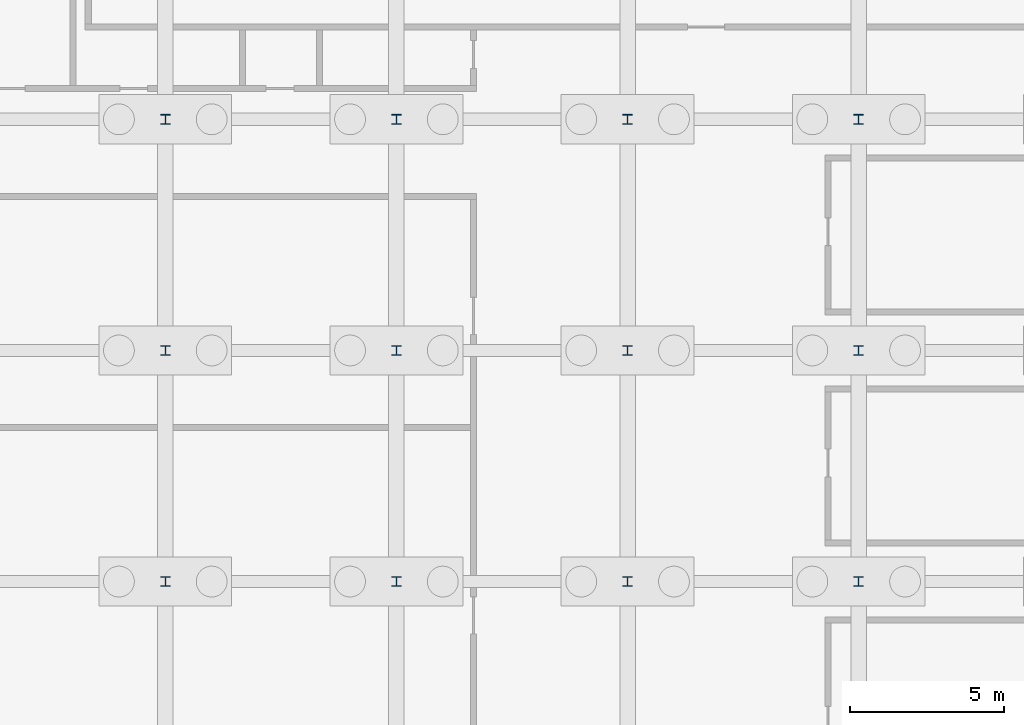
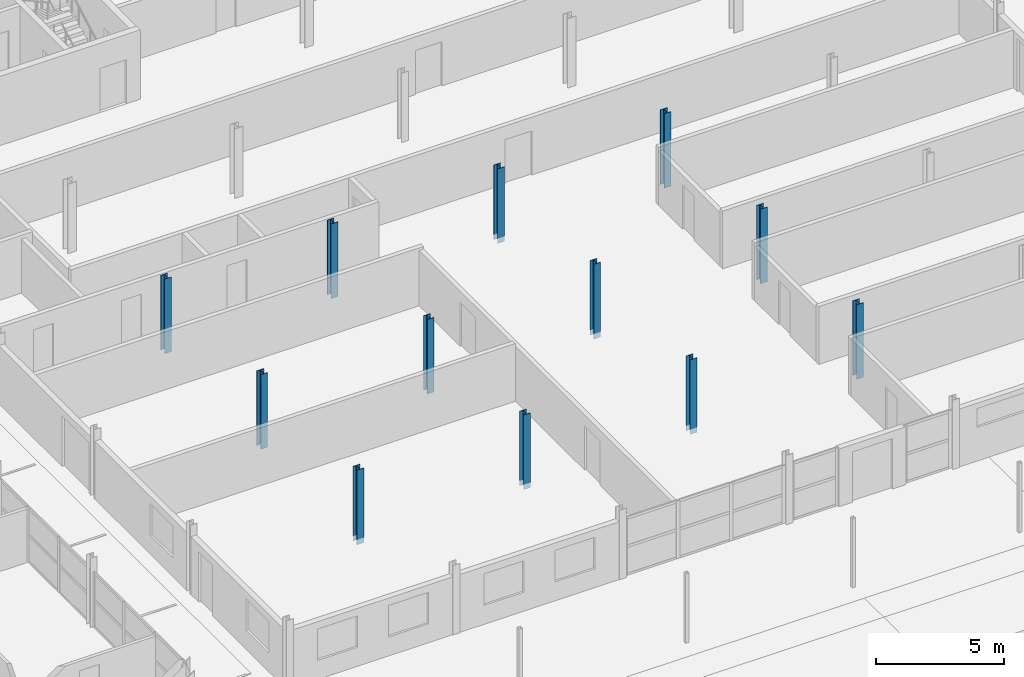
# One storey, part 17 of 130: 12 columns.
"""IFC4 building model written with IfcOpenShell, lengths in metres."""

from ifc_helpers import new_model, si_unit, direction, frame, origin, origin_2d, place, context, subcontext, project, spatial, i_section, extrude, material, material_profile, profile_set, type_object, element, save


model = new_model("IFC4")

# Units and contexts
model_context = context("Model", 3, precision=1e-05, world=origin(), true_north=direction((0.0, 1.0)))
body_context = subcontext(model_context, "Body", "Model", "MODEL_VIEW")
ifc_project = project(units=[si_unit("LENGTHUNIT", "METRE"), si_unit("AREAUNIT", "SQUARE_METRE"), si_unit("VOLUMEUNIT", "CUBIC_METRE"), si_unit("PLANEANGLEUNIT", "RADIAN"), si_unit("MASSUNIT", "GRAM", prefix="KILO")], contexts=[model_context])

# Site, building, storey
site_placement = place(None, origin())
site = spatial("IfcSite", under=ifc_project, at=site_placement, CompositionType="ELEMENT")
building_placement = place(site_placement, origin())
building = spatial("IfcBuilding", under=site, at=building_placement, Name="Parallax Yard Mobility Hub", CompositionType="ELEMENT")
storey_placement = place(building_placement, origin())
storey = spatial("IfcBuildingStorey", under=building, at=storey_placement, Name="L00", CompositionType="ELEMENT", Elevation=0.0)

# Columns
ifc_material = material(Name="Steel ASTM A992", Category="steel")
ifc_material_profile = material_profile(ifc_material, i_section(OverallWidth=0.306884765625, OverallDepth=0.318115234375, WebThickness=0.01318359375, FlangeThickness=0.0205078125, FilletRadius=0.01513671875, at=origin_2d()), Name="W310x129")
ifc_profile_set = profile_set([ifc_material_profile], Name="Steel ASTM A992")
column_type = type_object("IfcColumnType", Name="W310x129 column", PredefinedType="COLUMN", material=ifc_profile_set)
for number, where, z_axis, x_axis, name in (
    (1, (105.0, 15.0, -0.25), (0.0, 0.0, 1.0), (1.0, 0.0, 0.0), "Column C3 level L00 at C/15 of mobility service centre and workshops"),
    (2, (105.0, 22.5, -0.25), (0.0, 0.0, 1.0), (1.0, 0.0, 0.0), "Column C3 level L00 at D/15 of mobility service centre and workshops"),
    (3, (105.0, 30.0, -0.25), (0.0, 0.0, 1.0), (1.0, 0.0, 0.0), "Column C3 level L00 at E/15 of mobility service centre and workshops"),
    (4, (112.5, 15.0, -0.25), (0.0, 0.0, 1.0), (1.0, 0.0, 0.0), "Column C3 level L00 at C/16 of mobility service centre and workshops"),
    (5, (112.5, 22.5, -0.25), (0.0, 0.0, 1.0), (1.0, 0.0, 0.0), "Column C3 level L00 at D/16 of mobility service centre and workshops"),
    (6, (112.5, 30.0, -0.25), (0.0, 0.0, 1.0), (1.0, 0.0, 0.0), "Column C3 level L00 at E/16 of mobility service centre and workshops"),
    (7, (120.0, 15.0, -0.25), (0.0, 0.0, 1.0), (1.0, 0.0, 0.0), "Column C3 level L00 at C/17 of mobility service centre and workshops"),
    (8, (120.0, 22.5, -0.25), (0.0, 0.0, 1.0), (1.0, 0.0, 0.0), "Column C3 level L00 at D/17 of mobility service centre and workshops"),
    (9, (120.0, 30.0, -0.25), (0.0, 0.0, 1.0), (1.0, 0.0, 0.0), "Column C3 level L00 at E/17 of mobility service centre and workshops"),
    (10, (127.5, 15.0, -0.25), (0.0, 0.0, 1.0), (1.0, 0.0, 0.0), "Column C3 level L00 at C/18 of mobility service centre and workshops"),
    (11, (127.5, 22.5, -0.25), (0.0, 0.0, 1.0), (1.0, 0.0, 0.0), "Column C3 level L00 at D/18 of mobility service centre and workshops"),
    (12, (127.5, 30.0, -0.25), (0.0, 0.0, 1.0), (1.0, 0.0, 0.0), "Column C3 level L00 at E/18 of mobility service centre and workshops"),
):
    element("IfcColumn", number, at=place(storey_placement, frame(where, z_axis=z_axis, x_axis=x_axis)), inside=storey, type_object=column_type, Name=name, PredefinedType="COLUMN", context=body_context, shape_type="SweptSolid", body=[
        extrude(i_section(OverallWidth=0.306884765625, OverallDepth=0.318115234375, WebThickness=0.01318359375, FlangeThickness=0.0205078125, FilletRadius=0.01513671875, at=origin_2d()), origin(), (0.0, 0.0, 1.0), 3.550048828125),
    ])

save(model, "model.ifc")
